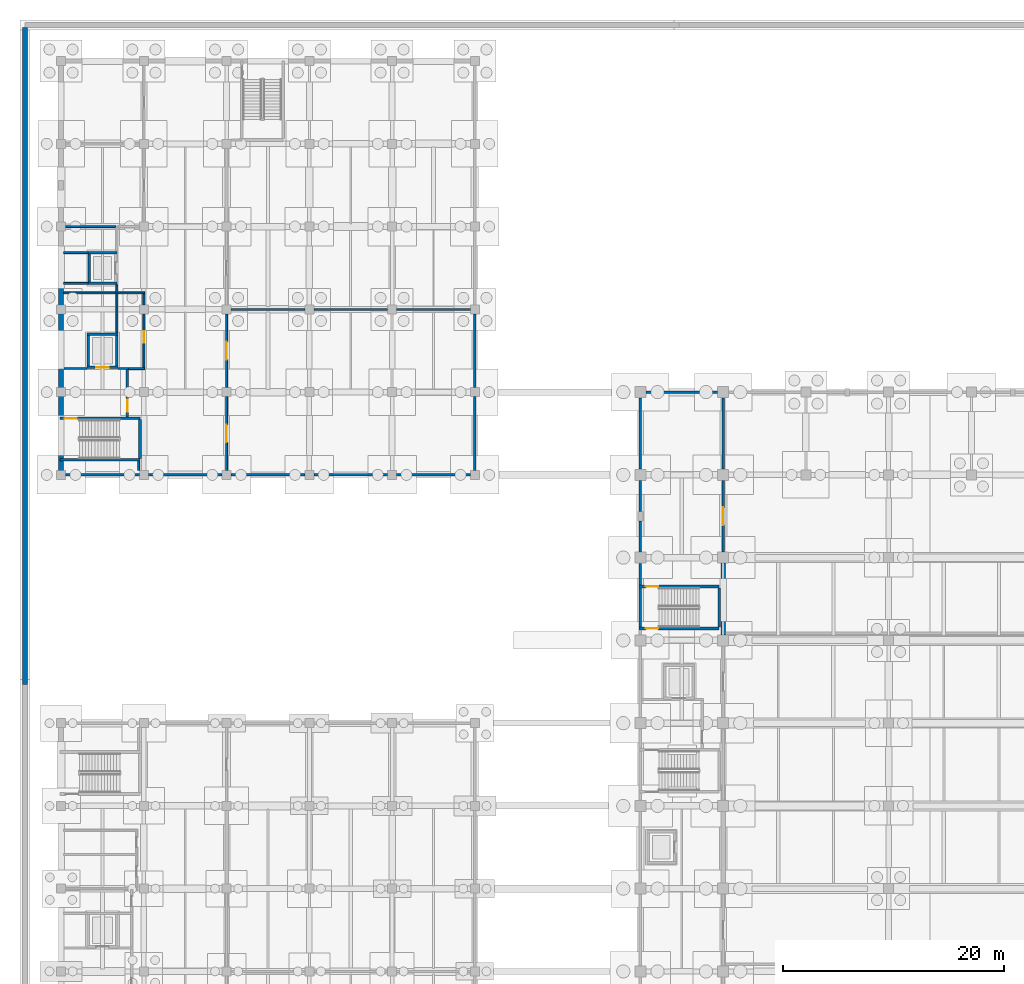
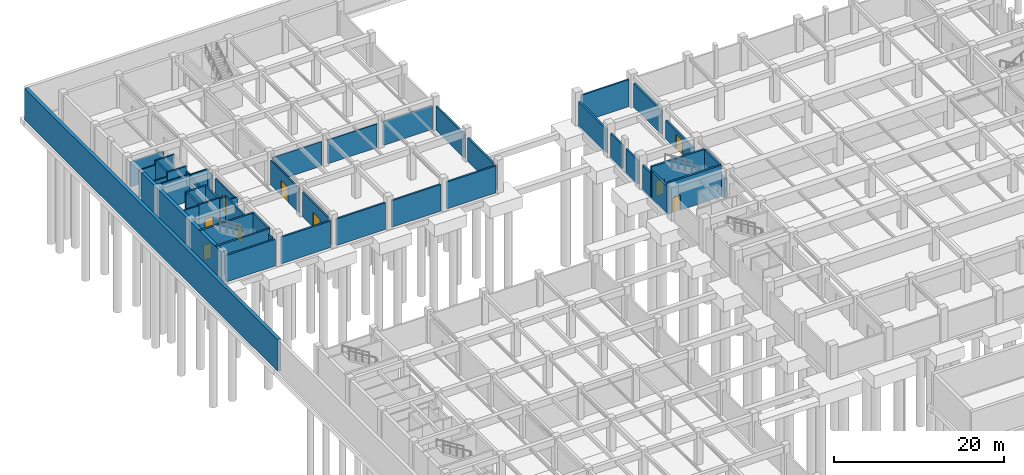
# One storey, part 25 of 38: 50 walls, 9 doors, 9 openings.
"""IFC4 building model written with IfcOpenShell, lengths in metres."""

from ifc_helpers import new_model, si_unit, direction, frame, frame_2d, origin, place, context, subcontext, project, spatial, rectangle, extrude, material, layer, layer_set, type_object, element, fill, save


model = new_model("IFC4")

# Units and contexts
model_context = context("Model", 3, precision=1e-05, world=origin(), true_north=direction((0.0, 1.0)))
body_context = subcontext(model_context, "Body", "Model", "MODEL_VIEW")
ifc_project = project(units=[si_unit("LENGTHUNIT", "METRE"), si_unit("AREAUNIT", "SQUARE_METRE"), si_unit("VOLUMEUNIT", "CUBIC_METRE"), si_unit("PLANEANGLEUNIT", "RADIAN"), si_unit("MASSUNIT", "GRAM", prefix="KILO")], contexts=[model_context])

# Site, building, storey
site_placement = place(None, origin())
site = spatial("IfcSite", under=ifc_project, at=site_placement, CompositionType="ELEMENT")
building_placement = place(site_placement, origin())
building = spatial("IfcBuilding", under=site, at=building_placement, Name="Qasida Concert Hall", CompositionType="ELEMENT")
storey_placement = place(building_placement, frame((0.0, 0.0, -4.800048828125)))
storey = spatial("IfcBuildingStorey", under=building, at=storey_placement, Name="B1", CompositionType="ELEMENT", Elevation=-4.800048828125)

# Walls
ifc_material_1 = material(Name="Concrete C40/50", Category="concrete")
ifc_layer_1 = layer(ifc_material_1, 0.219970703125, Name="Concrete C40/50")
ifc_layer_set_1 = layer_set([ifc_layer_1], Name="Concrete C40/50")
wall_type_1 = type_object("IfcWallType", Name="WL-CW-220", PredefinedType="SOLIDWALL", material=ifc_layer_set_1)
for number, where, z_axis, x_axis, name in (
    (1, (2.43994140625, 92.35009765625, 0.0), (0.0, 0.0, 1.0), (1.0, 0.0, 0.0), "B1 LF-07 lift shaft wall S"),
    (2, (2.43994140625, 95.14990234375, 0.0), (0.0, 0.0, 1.0), (1.0, 0.0, 0.0), "B1 LF-07 lift shaft wall N"),
):
    element("IfcWall", number, at=place(storey_placement, frame(where, z_axis=z_axis, x_axis=x_axis)), inside=storey, type_object=wall_type_1, Name=name, PredefinedType="SOLIDWALL", context=body_context, shape_type="SweptSolid", body=[
        extrude(rectangle(XDim=2.6201171875, YDim=0.219970703125, at=frame_2d((1.31005859375, 0.0))), origin(), (0.0, 0.0, 1.0), 4.5),
    ])
wall_1_placement = place(storey_placement, frame((2.550048828125, 92.4599609375, 0.0), z_axis=(0.0, 0.0, 1.0), x_axis=(0.0, 1.0, 0.0)))
element("IfcWall", 3, at=wall_1_placement, inside=storey, type_object=wall_type_1, Name="B1 LF-07 lift shaft wall W", PredefinedType="SOLIDWALL", context=body_context, shape_type="SweptSolid", body=[
    extrude(rectangle(XDim=2.580078125, YDim=0.219970703125, at=frame_2d((1.2900390625, 0.0))), origin(), (0.0, 0.0, 1.0), 4.5),
])

# Wall, opening, door
wall_2_placement = place(storey_placement, frame((2.340087890625, 84.75, 0.0), z_axis=(0.0, 0.0, 1.0), x_axis=(1.0, 0.0, 0.0)))
wall_2 = element("IfcWall", 4, at=wall_2_placement, inside=storey, type_object=wall_type_1, Name="B1 LF-08 lift shaft wall S", PredefinedType="SOLIDWALL", context=body_context, shape_type="SweptSolid", body=[
    extrude(rectangle(XDim=2.81982421875, YDim=0.219970703125, at=frame_2d((1.409912109375, 0.0))), origin(), (0.0, 0.0, 1.0), 4.5),
])
opening_1_placement = place(wall_2_placement, frame((0.860107421875, 0.0, 0.0)))
opening_1 = element("IfcOpeningElement", 5, at=opening_1_placement, cuts=wall_2, Name="Opening LD-110", PredefinedType="OPENING", context=body_context, shape_type="SweptSolid", body=[
    extrude(rectangle(XDim=1.10009765625, YDim=2.14990234375, at=frame_2d((0.550048828125, 1.074951171875))), frame((0.0, 0.119873046875, 0.0), z_axis=(0.0, -1.0, 0.0), x_axis=(1.0, 0.0, 0.0)), (0.0, 0.0, 1.0), 0.239990234375),
])
ifc_material_2 = material(Name="Firefighting lift sliding landing door", Category="steel")
door_type_1 = type_object("IfcDoorType", Name="LD-110", OperationType="SLIDING_TO_LEFT", PredefinedType="DOOR", material=ifc_material_2)
door_1_placement = place(opening_1_placement, origin())
door_1 = element("IfcDoor", 6, at=door_1_placement, inside=storey, type_object=door_type_1, Name="Lift landing door LF-08 B1", OperationType="SLIDING_TO_LEFT", OverallHeight=2.14990234375, OverallWidth=1.10009765625, PredefinedType="DOOR", context=body_context, shape_type="SweptSolid", body=[
    extrude(rectangle(XDim=1.10009765625, YDim=2.14990234375, at=frame_2d((0.550048828125, 1.074951171875))), frame((0.0, 0.02490234375, 0.0), z_axis=(0.0, -1.0, 0.0), x_axis=(1.0, 0.0, 0.0)), (0.0, 0.0, 1.0), 0.050048828125),
])
fill(opening_1, door_1)

# Walls
wall_3_placement = place(storey_placement, frame((2.340087890625, 87.75, 0.0), z_axis=(0.0, 0.0, 1.0), x_axis=(1.0, 0.0, 0.0)))
element("IfcWall", 7, at=wall_3_placement, inside=storey, type_object=wall_type_1, Name="B1 LF-08 lift shaft wall N", PredefinedType="SOLIDWALL", context=body_context, shape_type="SweptSolid", body=[
    extrude(rectangle(XDim=2.81982421875, YDim=0.219970703125, at=frame_2d((1.409912109375, 0.0))), origin(), (0.0, 0.0, 1.0), 4.5),
])
for number, where, z_axis, x_axis, name in (
    (8, (2.449951171875, 84.860107421875, 0.0), (0.0, 0.0, 1.0), (0.0, 1.0, 0.0), "B1 LF-08 lift shaft wall W"),
    (9, (5.050048828125, 84.860107421875, 0.0), (0.0, 0.0, 1.0), (0.0, 1.0, 0.0), "B1 LF-08 lift shaft wall E"),
):
    element("IfcWall", number, at=place(storey_placement, frame(where, z_axis=z_axis, x_axis=x_axis)), inside=storey, type_object=wall_type_1, Name=name, PredefinedType="SOLIDWALL", context=body_context, shape_type="SweptSolid", body=[
        extrude(rectangle(XDim=2.77978515625, YDim=0.219970703125, at=frame_2d((1.389892578125, 0.0))), origin(), (0.0, 0.0, 1.0), 4.5),
    ])

# Wall, opening, door
wall_4_placement = place(storey_placement, frame((6.0, 80.260009765625, 0.0), z_axis=(0.0, 0.0, 1.0), x_axis=(0.0, 1.0, 0.0)))
wall_4 = element("IfcWall", 10, at=wall_4_placement, inside=storey, type_object=wall_type_1, Name="B1 LF-08 firefighting lobby wall", PredefinedType="SOLIDWALL", context=body_context, shape_type="SweptSolid", body=[
    extrude(rectangle(XDim=4.369873046875, YDim=0.219970703125, at=frame_2d((2.18505859375, 0.0))), origin(), (0.0, 0.0, 1.0), 4.5),
])
opening_2_placement = place(wall_4_placement, frame((0.449951171875, 0.0, 0.0)))
opening_2 = element("IfcOpeningElement", 11, at=opening_2_placement, cuts=wall_4, Name="Opening FD-110", PredefinedType="OPENING", context=body_context, shape_type="SweptSolid", body=[
    extrude(rectangle(XDim=1.10009765625, YDim=2.14990234375, at=frame_2d((0.550048828125, 1.074951171875))), frame((0.0, 0.119873046875, 0.0), z_axis=(0.0, -1.0, 0.0), x_axis=(1.0, 0.0, 0.0)), (0.0, 0.0, 1.0), 0.239990234375),
])
ifc_material_3 = material(Name="Steel fire-rated stair/lobby door set", Category="steel")
door_type_2 = type_object("IfcDoorType", Name="FD-110", OperationType="NOTDEFINED", PredefinedType="DOOR", material=ifc_material_3)
door_2_placement = place(opening_2_placement, origin())
door_2 = element("IfcDoor", 12, at=door_2_placement, inside=storey, type_object=door_type_2, Name="B1 LF-08 firefighting lobby fire door", OperationType="SINGLE_SWING_RIGHT", OverallHeight=2.14990234375, OverallWidth=1.10009765625, PredefinedType="DOOR", context=body_context, shape_type="SweptSolid", body=[
    extrude(rectangle(XDim=1.10009765625, YDim=2.14990234375, at=frame_2d((0.550048828125, 1.074951171875))), frame((0.0, 0.02490234375, 0.0), z_axis=(0.0, -1.0, 0.0), x_axis=(1.0, 0.0, 0.0)), (0.0, 0.0, 1.0), 0.050048828125),
])
fill(opening_2, door_2)

# Wall
ifc_layer_2 = layer(ifc_material_1, 0.25, Name="Concrete C40/50")
ifc_layer_set_2 = layer_set([ifc_layer_2], Name="Concrete C40/50")
wall_type_2 = type_object("IfcWallType", Name="WL-CW-250", PredefinedType="SOLIDWALL", material=ifc_layer_set_2)
wall_5_placement = place(storey_placement, frame((-0.1201171875, 76.375, 0.0), z_axis=(0.0, 0.0, 1.0), x_axis=(1.0, 0.0, 0.0)))
element("IfcWall", 13, at=wall_5_placement, inside=storey, type_object=wall_type_2, Name="B1 ST-05 stairwell wall S", PredefinedType="SOLIDWALL", context=body_context, shape_type="SweptSolid", body=[
    extrude(rectangle(XDim=7.260009765625, YDim=0.25, at=frame_2d((3.6298828125, 0.0))), origin(), (0.0, 0.0, 1.0), 4.5),
])

# Wall, opening, door
wall_6_placement = place(storey_placement, frame((-0.1201171875, 80.125, 0.0), z_axis=(0.0, 0.0, 1.0), x_axis=(1.0, 0.0, 0.0)))
wall_6 = element("IfcWall", 14, at=wall_6_placement, inside=storey, type_object=wall_type_2, Name="B1 ST-05 stairwell wall N", PredefinedType="SOLIDWALL", context=body_context, shape_type="SweptSolid", body=[
    extrude(rectangle(XDim=7.260009765625, YDim=0.25, at=frame_2d((3.6298828125, 0.0))), origin(), (0.0, 0.0, 1.0), 4.5),
])
opening_3_placement = place(wall_6_placement, frame((0.449951171875, 0.0, 0.0)))
opening_3 = element("IfcOpeningElement", 15, at=opening_3_placement, cuts=wall_6, Name="Opening FD-110", PredefinedType="OPENING", context=body_context, shape_type="SweptSolid", body=[
    extrude(rectangle(XDim=1.10009765625, YDim=2.14990234375, at=frame_2d((0.550048828125, 1.074951171875))), frame((0.0, 0.135009765625, 0.0), z_axis=(0.0, -1.0, 0.0), x_axis=(1.0, 0.0, 0.0)), (0.0, 0.0, 1.0), 0.27001953125),
])
door_3_placement = place(opening_3_placement, origin())
door_3 = element("IfcDoor", 16, at=door_3_placement, inside=storey, type_object=door_type_2, Name="B1 ST-05 rated stair door", OperationType="SINGLE_SWING_LEFT", OverallHeight=2.14990234375, OverallWidth=1.10009765625, PredefinedType="DOOR", context=body_context, shape_type="SweptSolid", body=[
    extrude(rectangle(XDim=1.10009765625, YDim=2.14990234375, at=frame_2d((0.550048828125, 1.074951171875))), frame((0.0, 0.02490234375, 0.0), z_axis=(0.0, -1.0, 0.0), x_axis=(1.0, 0.0, 0.0)), (0.0, 0.0, 1.0), 0.050048828125),
])
fill(opening_3, door_3)

# Wall
wall_7_placement = place(storey_placement, frame((7.14501953125, 76.5, 0.0), z_axis=(0.0, 0.0, 1.0), x_axis=(0.0, 1.0, 0.0)))
element("IfcWall", 17, at=wall_7_placement, inside=storey, type_object=wall_type_2, Name="B1 ST-05 stairwell wall E", PredefinedType="SOLIDWALL", context=body_context, shape_type="SweptSolid", body=[
    extrude(rectangle(XDim=3.5, YDim=0.25, at=frame_2d((1.75, 0.0))), origin(), (0.0, 0.0, 1.0), 4.5),
])

# Wall, opening, door
wall_8_placement = place(storey_placement, frame((52.3798828125, 61.074951171875, 0.0), z_axis=(0.0, 0.0, 1.0), x_axis=(1.0, 0.0, 0.0)))
wall_8 = element("IfcWall", 18, at=wall_8_placement, inside=storey, type_object=wall_type_2, Name="B1 ST-11 stairwell wall S", PredefinedType="SOLIDWALL", context=body_context, shape_type="SweptSolid", body=[
    extrude(rectangle(XDim=7.260009765625, YDim=0.25, at=frame_2d((3.6298828125, 0.0))), origin(), (0.0, 0.0, 1.0), 4.5),
])
opening_4_placement = place(wall_8_placement, frame((0.6201171875, 0.0, 0.0)))
opening_4 = element("IfcOpeningElement", 19, at=opening_4_placement, cuts=wall_8, Name="Opening FD-110", PredefinedType="OPENING", context=body_context, shape_type="SweptSolid", body=[
    extrude(rectangle(XDim=1.10009765625, YDim=2.14990234375, at=frame_2d((0.550048828125, 1.074951171875))), frame((0.0, 0.135009765625, 0.0), z_axis=(0.0, -1.0, 0.0), x_axis=(1.0, 0.0, 0.0)), (0.0, 0.0, 1.0), 0.27001953125),
])
door_4_placement = place(opening_4_placement, origin())
door_4 = element("IfcDoor", 20, at=door_4_placement, inside=storey, type_object=door_type_2, Name="B1 ST-11 rated stair door", OperationType="SINGLE_SWING_LEFT", OverallHeight=2.14990234375, OverallWidth=1.10009765625, PredefinedType="DOOR", context=body_context, shape_type="SweptSolid", body=[
    extrude(rectangle(XDim=1.10009765625, YDim=2.14990234375, at=frame_2d((0.550048828125, 1.074951171875))), frame((0.0, 0.02490234375, 0.0), z_axis=(0.0, -1.0, 0.0), x_axis=(1.0, 0.0, 0.0)), (0.0, 0.0, 1.0), 0.050048828125),
])
fill(opening_4, door_4)

wall_9_placement = place(storey_placement, frame((52.3798828125, 64.885009765625, 0.0), z_axis=(0.0, 0.0, 1.0), x_axis=(1.0, 0.0, 0.0)))
wall_9 = element("IfcWall", 21, at=wall_9_placement, inside=storey, type_object=wall_type_2, Name="B1 ST-11 stairwell wall N", PredefinedType="SOLIDWALL", context=body_context, shape_type="SweptSolid", body=[
    extrude(rectangle(XDim=7.260009765625, YDim=0.25, at=frame_2d((3.6298828125, 0.0))), origin(), (0.0, 0.0, 1.0), 4.5),
])
opening_5_placement = place(wall_9_placement, frame((0.6201171875, 0.0, 0.0)))
opening_5 = element("IfcOpeningElement", 22, at=opening_5_placement, cuts=wall_9, Name="Opening FD-110", PredefinedType="OPENING", context=body_context, shape_type="SweptSolid", body=[
    extrude(rectangle(XDim=1.10009765625, YDim=2.14990234375, at=frame_2d((0.550048828125, 1.074951171875))), frame((0.0, 0.135009765625, 0.0), z_axis=(0.0, -1.0, 0.0), x_axis=(1.0, 0.0, 0.0)), (0.0, 0.0, 1.0), 0.27001953125),
])
door_5_placement = place(opening_5_placement, frame((1.10009765625, 0.0, 0.0), z_axis=(0.0, 0.0, 1.0), x_axis=(-1.0, 0.0, 0.0)))
door_5 = element("IfcDoor", 23, at=door_5_placement, inside=storey, type_object=door_type_2, Name="B1 ST-11 rated stair door", OperationType="SINGLE_SWING_RIGHT", OverallHeight=2.14990234375, OverallWidth=1.10009765625, PredefinedType="DOOR", context=body_context, shape_type="SweptSolid", body=[
    extrude(rectangle(XDim=1.10009765625, YDim=2.14990234375, at=frame_2d((0.550048828125, 1.074951171875))), frame((0.0, 0.02490234375, 0.0), z_axis=(0.0, -1.0, 0.0), x_axis=(1.0, 0.0, 0.0)), (0.0, 0.0, 1.0), 0.050048828125),
])
fill(opening_5, door_5)

# Walls
wall_10_placement = place(storey_placement, frame((59.64501953125, 61.199951171875, 0.0), z_axis=(0.0, 0.0, 1.0), x_axis=(0.0, 1.0, 0.0)))
element("IfcWall", 24, at=wall_10_placement, inside=storey, type_object=wall_type_2, Name="B1 ST-11 stairwell wall E", PredefinedType="SOLIDWALL", context=body_context, shape_type="SweptSolid", body=[
    extrude(rectangle(XDim=3.56005859375, YDim=0.25, at=frame_2d((1.780029296875, 0.0))), origin(), (0.0, 0.0, 1.0), 4.5),
])
ifc_material_4 = material(Name="Acoustic metal-stud gypsum partition", Category="gypsum")
ifc_layer_3 = layer(ifc_material_4, 0.179931640625, Name="Acoustic metal-stud gypsum partition")
ifc_layer_set_3 = layer_set([ifc_layer_3], Name="Acoustic metal-stud gypsum partition")
wall_type_3 = type_object("IfcWallType", Name="WL-PW-180", PredefinedType="PARTITIONING", material=ifc_layer_set_3)
wall_11_placement = place(storey_placement, frame((7.02001953125, 75.4140625, 0.0), z_axis=(0.0, 0.0, 1.0), x_axis=(0.0, 1.0, 0.0)))
element("IfcWall", 25, at=wall_11_placement, inside=storey, type_object=wall_type_3, Name="B1 partition PW-180 0226", PredefinedType="PARTITIONING", context=body_context, shape_type="SweptSolid", body=[
    extrude(rectangle(XDim=0.822021484375, YDim=0.179931640625, at=frame_2d((0.4111328125, 0.0))), origin(), (0.0, 0.0, 1.0), 3.820068359375),
])
wall_12_placement = place(storey_placement, frame((5.050048828125, 87.8740234375, 0.0), z_axis=(0.0, 0.0, 1.0), x_axis=(0.0, 1.0, 0.0)))
element("IfcWall", 26, at=wall_12_placement, inside=storey, type_object=wall_type_3, Name="B1 partition PW-180 0227", PredefinedType="PARTITIONING", context=body_context, shape_type="SweptSolid", body=[
    extrude(rectangle(XDim=3.6259765625, YDim=0.179931640625, at=frame_2d((1.81298828125, 0.0))), origin(), (0.0, 0.0, 1.0), 3.570068359375),
])
wall_13_placement = place(storey_placement, frame((6.1240234375, 84.6298828125, 0.0), z_axis=(0.0, 0.0, 1.0), x_axis=(1.0, 0.0, 0.0)))
element("IfcWall", 27, at=wall_13_placement, inside=storey, type_object=wall_type_3, Name="B1 partition PW-180 0228", PredefinedType="PARTITIONING", context=body_context, shape_type="SweptSolid", body=[
    extrude(rectangle(XDim=1.4560546875, YDim=0.179931640625, at=frame_2d((0.72802734375, 0.0))), origin(), (0.0, 0.0, 1.0), 3.8701171875),
])
wall_14_placement = place(storey_placement, frame((0.239013671875, 91.5, 0.0), z_axis=(0.0, 0.0, 1.0), x_axis=(1.0, 0.0, 0.0)))
element("IfcWall", 28, at=wall_14_placement, inside=storey, type_object=wall_type_3, Name="B1 partition PW-180 0229", PredefinedType="PARTITIONING", context=body_context, shape_type="SweptSolid", body=[
    extrude(rectangle(XDim=4.70703125, YDim=0.179931640625, at=frame_2d((2.353515625, 0.0))), origin(), (0.0, 0.0, 1.0), 3.8701171875),
])
wall_15_placement = place(storey_placement, frame((5.154052734375, 91.5, 0.0), z_axis=(0.0, 0.0, 1.0), x_axis=(1.0, 0.0, 0.0)))
element("IfcWall", 29, at=wall_15_placement, inside=storey, type_object=wall_type_3, Name="B1 partition PW-180 0230", PredefinedType="PARTITIONING", context=body_context, shape_type="SweptSolid", body=[
    extrude(rectangle(XDim=2.426025390625, YDim=0.179931640625, at=frame_2d((1.212890625, 0.0))), origin(), (0.0, 0.0, 1.0), 3.77001953125),
])

# Wall, opening, door
wall_16_placement = place(storey_placement, frame((7.5, 84.73388671875, 0.0), z_axis=(0.0, 0.0, 1.0), x_axis=(0.0, 1.0, 0.0)))
wall_16 = element("IfcWall", 30, at=wall_16_placement, inside=storey, type_object=wall_type_3, Name="B1 partition PW-180 0231", PredefinedType="PARTITIONING", context=body_context, shape_type="SweptSolid", body=[
    extrude(rectangle(XDim=4.85205078125, YDim=0.179931640625, at=frame_2d((2.426025390625, 0.0))), origin(), (0.0, 0.0, 1.0), 3.52001953125),
])
opening_6_placement = place(wall_16_placement, frame((2.240966796875, 0.0, 0.0)))
opening_6 = element("IfcOpeningElement", 31, at=opening_6_placement, cuts=wall_16, Name="Opening ID-105", PredefinedType="OPENING", context=body_context, shape_type="SweptSolid", body=[
    extrude(rectangle(XDim=1.050048828125, YDim=2.1201171875, at=frame_2d((0.52490234375, 1.06005859375))), frame((0.0, 0.099853515625, 0.0), z_axis=(0.0, -1.0, 0.0), x_axis=(1.0, 0.0, 0.0)), (0.0, 0.0, 1.0), 0.199951171875),
])
ifc_material_5 = material(Name="Quarter-sawn oak practice studio door", Category="wood")
door_type_3 = type_object("IfcDoorType", Name="ID-105", OperationType="NOTDEFINED", PredefinedType="DOOR", material=ifc_material_5)
door_6_placement = place(opening_6_placement, origin())
door_6 = element("IfcDoor", 32, at=door_6_placement, inside=storey, type_object=door_type_3, Name="B1 Soloist practice booth door", OperationType="SINGLE_SWING_RIGHT", OverallHeight=2.1201171875, OverallWidth=1.050048828125, PredefinedType="DOOR", context=body_context, shape_type="SweptSolid", body=[
    extrude(rectangle(XDim=1.050048828125, YDim=2.1201171875, at=frame_2d((0.52490234375, 1.06005859375))), frame((0.0, 0.02490234375, 0.0), z_axis=(0.0, -1.0, 0.0), x_axis=(1.0, 0.0, 0.0)), (0.0, 0.0, 1.0), 0.050048828125),
])
fill(opening_6, door_6)

# Walls
wall_17_placement = place(storey_placement, frame((7.5, 90.4140625, 0.0), z_axis=(0.0, 0.0, 1.0), x_axis=(0.0, 1.0, 0.0)))
element("IfcWall", 33, at=wall_17_placement, inside=storey, type_object=wall_type_3, Name="B1 partition PW-180 0232", PredefinedType="PARTITIONING", context=body_context, shape_type="SweptSolid", body=[
    extrude(rectangle(XDim=0.98193359375, YDim=0.179931640625, at=frame_2d((0.490966796875, 0.0))), origin(), (0.0, 0.0, 1.0), 3.52001953125),
])
for number, where, z_axis, x_axis, name in (
    (34, (0.239013671875, 92.35009765625, 0.0), (0.0, 0.0, 1.0), (1.0, 0.0, 0.0), "B1 partition PW-180 0233"),
    (35, (0.239013671875, 95.14990234375, 0.0), (0.0, 0.0, 1.0), (1.0, 0.0, 0.0), "B1 partition PW-180 0234"),
):
    element("IfcWall", number, at=place(storey_placement, frame(where, z_axis=z_axis, x_axis=x_axis)), inside=storey, type_object=wall_type_3, Name=name, PredefinedType="PARTITIONING", context=body_context, shape_type="SweptSolid", body=[
        extrude(rectangle(XDim=2.200927734375, YDim=0.179931640625, at=frame_2d((1.1005859375, 0.0))), origin(), (0.0, 0.0, 1.0), 3.8701171875),
    ])
wall_18_placement = place(storey_placement, frame((5.050048828125, 91.5, 0.0), z_axis=(0.0, 0.0, 1.0), x_axis=(0.0, 1.0, 0.0)))
element("IfcWall", 36, at=wall_18_placement, inside=storey, type_object=wall_type_3, Name="B1 partition PW-180 0235", PredefinedType="PARTITIONING", context=body_context, shape_type="SweptSolid", body=[
    extrude(rectangle(XDim=0.72607421875, YDim=0.179931640625, at=frame_2d((0.363037109375, 0.0))), origin(), (0.0, 0.0, 1.0), 3.8701171875),
])
wall_19_placement = place(storey_placement, frame((0.4140625, 97.5, 0.0), z_axis=(0.0, 0.0, 1.0), x_axis=(1.0, 0.0, 0.0)))
element("IfcWall", 37, at=wall_19_placement, inside=storey, type_object=wall_type_3, Name="B1 partition PW-180 0237", PredefinedType="PARTITIONING", context=body_context, shape_type="SweptSolid", body=[
    extrude(rectangle(XDim=4.531982421875, YDim=0.179931640625, at=frame_2d((2.26611328125, 0.0))), origin(), (0.0, 0.0, 1.0), 3.570068359375),
])

# Wall, opening, door
wall_20_placement = place(storey_placement, frame((15.0, 75.4140625, 0.0), z_axis=(0.0, 0.0, 1.0), x_axis=(0.0, 1.0, 0.0)))
wall_20 = element("IfcWall", 38, at=wall_20_placement, inside=storey, type_object=wall_type_3, Name="B1 partition PW-180 0246", PredefinedType="PARTITIONING", context=body_context, shape_type="SweptSolid", body=[
    extrude(rectangle(XDim=6.671875, YDim=0.179931640625, at=frame_2d((3.3359375, 0.0))), origin(), (0.0, 0.0, 1.0), 3.52001953125),
])
opening_7_placement = place(wall_20_placement, frame((2.535888671875, 0.0, 0.0)))
opening_7 = element("IfcOpeningElement", 39, at=opening_7_placement, cuts=wall_20, Name="Opening FD-160", PredefinedType="OPENING", context=body_context, shape_type="SweptSolid", body=[
    extrude(rectangle(XDim=1.60009765625, YDim=2.14990234375, at=frame_2d((0.800048828125, 1.074951171875))), frame((0.0, 0.099853515625, 0.0), z_axis=(0.0, -1.0, 0.0), x_axis=(1.0, 0.0, 0.0)), (0.0, 0.0, 1.0), 0.199951171875),
])
ifc_material_6 = material(Name="Double-leaf acoustic fire door", Category="steel")
door_type_4 = type_object("IfcDoorType", Name="FD-160", OperationType="NOTDEFINED", PredefinedType="DOOR", material=ifc_material_6)
door_7_placement = place(opening_7_placement, origin())
door_7 = element("IfcDoor", 40, at=door_7_placement, inside=storey, type_object=door_type_4, Name="B1 Metro ticket hall south door", OperationType="SINGLE_SWING_LEFT", OverallHeight=2.14990234375, OverallWidth=1.60009765625, PredefinedType="DOOR", context=body_context, shape_type="SweptSolid", body=[
    extrude(rectangle(XDim=1.60009765625, YDim=2.14990234375, at=frame_2d((0.800048828125, 1.074951171875))), frame((0.0, 0.02490234375, 0.0), z_axis=(0.0, -1.0, 0.0), x_axis=(1.0, 0.0, 0.0)), (0.0, 0.0, 1.0), 0.050048828125),
])
fill(opening_7, door_7)

wall_21_placement = place(storey_placement, frame((15.0, 82.9140625, 0.0), z_axis=(0.0, 0.0, 1.0), x_axis=(0.0, 1.0, 0.0)))
wall_21 = element("IfcWall", 41, at=wall_21_placement, inside=storey, type_object=wall_type_3, Name="B1 partition PW-180 0247", PredefinedType="PARTITIONING", context=body_context, shape_type="SweptSolid", body=[
    extrude(rectangle(XDim=6.671875, YDim=0.179931640625, at=frame_2d((3.3359375, 0.0))), origin(), (0.0, 0.0, 1.0), 3.52001953125),
])
opening_8_placement = place(wall_21_placement, frame((2.535888671875, 0.0, 0.0)))
opening_8 = element("IfcOpeningElement", 42, at=opening_8_placement, cuts=wall_21, Name="Opening FD-160", PredefinedType="OPENING", context=body_context, shape_type="SweptSolid", body=[
    extrude(rectangle(XDim=1.60009765625, YDim=2.14990234375, at=frame_2d((0.800048828125, 1.074951171875))), frame((0.0, 0.099853515625, 0.0), z_axis=(0.0, -1.0, 0.0), x_axis=(1.0, 0.0, 0.0)), (0.0, 0.0, 1.0), 0.199951171875),
])
door_8_placement = place(opening_8_placement, origin())
door_8 = element("IfcDoor", 43, at=door_8_placement, inside=storey, type_object=door_type_4, Name="B1 Metro ticket hall north door", OperationType="SINGLE_SWING_RIGHT", OverallHeight=2.14990234375, OverallWidth=1.60009765625, PredefinedType="DOOR", context=body_context, shape_type="SweptSolid", body=[
    extrude(rectangle(XDim=1.60009765625, YDim=2.14990234375, at=frame_2d((0.800048828125, 1.074951171875))), frame((0.0, 0.02490234375, 0.0), z_axis=(0.0, -1.0, 0.0), x_axis=(1.0, 0.0, 0.0)), (0.0, 0.0, 1.0), 0.050048828125),
])
fill(opening_8, door_8)

# Walls
ifc_material_7 = material(Name="Acoustic gypsum block and mineral wool", Category="gypsum")
ifc_layer_4 = layer(ifc_material_7, 0.199951171875, Name="Acoustic gypsum block and mineral wool")
ifc_layer_set_4 = layer_set([ifc_layer_4], Name="Acoustic gypsum block and mineral wool")
wall_type_4 = type_object("IfcWallType", Name="WL-PW-200", PredefinedType="PARTITIONING", material=ifc_layer_set_4)
wall_22_placement = place(storey_placement, frame((0.239990234375, 84.6298828125, 0.0), z_axis=(0.0, 0.0, 1.0), x_axis=(1.0, 0.0, 0.0)))
element("IfcWall", 44, at=wall_22_placement, inside=storey, type_object=wall_type_4, Name="B1 LF-08 firefighting lobby return wall", PredefinedType="PARTITIONING", context=body_context, shape_type="SweptSolid", body=[
    extrude(rectangle(XDim=2.0849609375, YDim=0.199951171875, at=frame_2d((1.04248046875, 0.0))), origin(), (0.0, 0.0, 1.0), 4.47998046875),
])
wall_23_placement = place(storey_placement, frame((5.175048828125, 84.6298828125, 0.0), z_axis=(0.0, 0.0, 1.0), x_axis=(1.0, 0.0, 0.0)))
element("IfcWall", 45, at=wall_23_placement, inside=storey, type_object=wall_type_4, Name="B1 LF-08 firefighting lobby return wall", PredefinedType="PARTITIONING", context=body_context, shape_type="SweptSolid", body=[
    extrude(rectangle(XDim=0.93505859375, YDim=0.199951171875, at=frame_2d((0.467529296875, 0.0))), origin(), (0.0, 0.0, 1.0), 4.47998046875),
])
wall_24_placement = place(storey_placement, frame((15.4140625, 90.0, 0.0), z_axis=(0.0, 0.0, 1.0), x_axis=(1.0, 0.0, 0.0)))
element("IfcWall", 46, at=wall_24_placement, inside=storey, type_object=wall_type_4, Name="B1 partition PW-200 0243", PredefinedType="PARTITIONING", context=body_context, shape_type="SweptSolid", body=[
    extrude(rectangle(XDim=6.671875, YDim=0.199951171875, at=frame_2d((3.3359375, 0.0))), origin(), (0.0, 0.0, 1.0), 3.52001953125),
])
for number, where, z_axis, x_axis, name in (
    (47, (22.9140625, 90.0, 0.0), (0.0, 0.0, 1.0), (1.0, 0.0, 0.0), "B1 partition PW-200 0244"),
    (48, (30.4140625, 90.0, 0.0), (0.0, 0.0, 1.0), (1.0, 0.0, 0.0), "B1 partition PW-200 0245"),
):
    element("IfcWall", number, at=place(storey_placement, frame(where, z_axis=z_axis, x_axis=x_axis)), inside=storey, type_object=wall_type_4, Name=name, PredefinedType="PARTITIONING", context=body_context, shape_type="SweptSolid", body=[
        extrude(rectangle(XDim=6.671875, YDim=0.199951171875, at=frame_2d((3.3359375, 0.0))), origin(), (0.0, 0.0, 1.0), 3.420166015625),
    ])
ifc_material_8 = material(Name="Double-stud acoustic gypsum and mineral wool", Category="gypsum")
ifc_layer_5 = layer(ifc_material_8, 0.239990234375, Name="Double-stud acoustic gypsum and mineral wool")
ifc_layer_set_5 = layer_set([ifc_layer_5], Name="Double-stud acoustic gypsum and mineral wool")
wall_type_5 = type_object("IfcWallType", Name="WL-PW-240", PredefinedType="PARTITIONING", material=ifc_layer_set_5)
for number, where, z_axis, x_axis, name in (
    (49, (0.4140625, 75.0, 0.0), (0.0, 0.0, 1.0), (1.0, 0.0, 0.0), "B1 partition PW-240 0013"),
    (50, (7.9140625, 75.0, 0.0), (0.0, 0.0, 1.0), (1.0, 0.0, 0.0), "B1 partition PW-240 0014"),
    (51, (15.4140625, 75.0, 0.0), (0.0, 0.0, 1.0), (1.0, 0.0, 0.0), "B1 partition PW-240 0015"),
    (52, (22.9140625, 75.0, 0.0), (0.0, 0.0, 1.0), (1.0, 0.0, 0.0), "B1 partition PW-240 0016"),
):
    element("IfcWall", number, at=place(storey_placement, frame(where, z_axis=z_axis, x_axis=x_axis)), inside=storey, type_object=wall_type_5, Name=name, PredefinedType="PARTITIONING", context=body_context, shape_type="SweptSolid", body=[
        extrude(rectangle(XDim=6.671875, YDim=0.239990234375, at=frame_2d((3.3359375, 0.0))), origin(), (0.0, 0.0, 1.0), 3.820068359375),
    ])
wall_25_placement = place(storey_placement, frame((30.4140625, 75.0, 0.0), z_axis=(0.0, 0.0, 1.0), x_axis=(1.0, 0.0, 0.0)))
element("IfcWall", 53, at=wall_25_placement, inside=storey, type_object=wall_type_5, Name="B1 partition PW-240 0017", PredefinedType="PARTITIONING", context=body_context, shape_type="SweptSolid", body=[
    extrude(rectangle(XDim=6.671875, YDim=0.239990234375, at=frame_2d((3.3359375, 0.0))), origin(), (0.0, 0.0, 1.0), 3.8701171875),
])
for number, where, z_axis, x_axis, name in (
    (54, (37.5, 75.4140625, 0.0), (0.0, 0.0, 1.0), (0.0, 1.0, 0.0), "B1 partition PW-240 0018"),
    (55, (37.5, 82.9140625, 0.0), (0.0, 0.0, 1.0), (0.0, 1.0, 0.0), "B1 partition PW-240 0019"),
):
    element("IfcWall", number, at=place(storey_placement, frame(where, z_axis=z_axis, x_axis=x_axis)), inside=storey, type_object=wall_type_5, Name=name, PredefinedType="PARTITIONING", context=body_context, shape_type="SweptSolid", body=[
        extrude(rectangle(XDim=6.671875, YDim=0.239990234375, at=frame_2d((3.3359375, 0.0))), origin(), (0.0, 0.0, 1.0), 3.420166015625),
    ])
wall_26_placement = place(storey_placement, frame((53.013916015625, 82.5, 0.0), z_axis=(0.0, 0.0, 1.0), x_axis=(1.0, 0.0, 0.0)))
element("IfcWall", 56, at=wall_26_placement, inside=storey, type_object=wall_type_5, Name="B1 partition PW-240 0030", PredefinedType="PARTITIONING", context=body_context, shape_type="SweptSolid", body=[
    extrude(rectangle(XDim=6.47216796875, YDim=0.239990234375, at=frame_2d((3.236083984375, 0.0))), origin(), (0.0, 0.0, 1.0), 3.8701171875),
])
wall_27_placement = place(storey_placement, frame((52.5, 61.214111328125, 0.0), z_axis=(0.0, 0.0, 1.0), x_axis=(0.0, 1.0, 0.0)))
element("IfcWall", 57, at=wall_27_placement, inside=storey, type_object=wall_type_5, Name="B1 partition PW-240 0047", PredefinedType="PARTITIONING", context=body_context, shape_type="SweptSolid", body=[
    extrude(rectangle(XDim=3.531982421875, YDim=0.239990234375, at=frame_2d((1.76611328125, 0.0))), origin(), (0.0, 0.0, 1.0), 3.8701171875),
])
wall_28_placement = place(storey_placement, frame((52.5, 65.02392578125, 0.0), z_axis=(0.0, 0.0, 1.0), x_axis=(0.0, 1.0, 0.0)))
element("IfcWall", 58, at=wall_28_placement, inside=storey, type_object=wall_type_5, Name="B1 partition PW-240 0048", PredefinedType="PARTITIONING", context=body_context, shape_type="SweptSolid", body=[
    extrude(rectangle(XDim=1.962158203125, YDim=0.239990234375, at=frame_2d((0.98095703125, 0.0))), origin(), (0.0, 0.0, 1.0), 3.420166015625),
])
for number, where, z_axis, x_axis, name in (
    (59, (52.5, 68.013916015625, 0.0), (0.0, 0.0, 1.0), (0.0, 1.0, 0.0), "B1 partition PW-240 0049"),
    (60, (52.5, 71.68896484375, 0.0), (0.0, 0.0, 1.0), (0.0, 1.0, 0.0), "B1 partition PW-240 0050"),
):
    element("IfcWall", number, at=place(storey_placement, frame(where, z_axis=z_axis, x_axis=x_axis)), inside=storey, type_object=wall_type_5, Name=name, PredefinedType="PARTITIONING", context=body_context, shape_type="SweptSolid", body=[
        extrude(rectangle(XDim=2.797119140625, YDim=0.239990234375, at=frame_2d((1.3984375, 0.0))), origin(), (0.0, 0.0, 1.0), 3.420166015625),
    ])
wall_29_placement = place(storey_placement, frame((52.5, 75.513916015625, 0.0), z_axis=(0.0, 0.0, 1.0), x_axis=(0.0, 1.0, 0.0)))
element("IfcWall", 61, at=wall_29_placement, inside=storey, type_object=wall_type_5, Name="B1 partition PW-240 0051", PredefinedType="PARTITIONING", context=body_context, shape_type="SweptSolid", body=[
    extrude(rectangle(XDim=6.47216796875, YDim=0.239990234375, at=frame_2d((3.236083984375, 0.0))), origin(), (0.0, 0.0, 1.0), 3.420166015625),
])

# Wall, opening, door
wall_30_placement = place(storey_placement, frame((60.0, 68.013916015625, 0.0), z_axis=(0.0, 0.0, 1.0), x_axis=(0.0, 1.0, 0.0)))
wall_30 = element("IfcWall", 62, at=wall_30_placement, inside=storey, type_object=wall_type_5, Name="B1 partition PW-240 0401", PredefinedType="PARTITIONING", context=body_context, shape_type="SweptSolid", body=[
    extrude(rectangle(XDim=6.47216796875, YDim=0.239990234375, at=frame_2d((3.236083984375, 0.0))), origin(), (0.0, 0.0, 1.0), 2.670166015625),
])
opening_9_placement = place(wall_30_placement, frame((2.43603515625, 0.0, 0.0)))
opening_9 = element("IfcOpeningElement", 63, at=opening_9_placement, cuts=wall_30, Name="Opening FD-160", PredefinedType="OPENING", context=body_context, shape_type="SweptSolid", body=[
    extrude(rectangle(XDim=1.60009765625, YDim=2.14990234375, at=frame_2d((0.800048828125, 1.074951171875))), frame((0.0, 0.1298828125, 0.0), z_axis=(0.0, -1.0, 0.0), x_axis=(1.0, 0.0, 0.0)), (0.0, 0.0, 1.0), 0.260009765625),
])
door_9_placement = place(opening_9_placement, origin())
door_9 = element("IfcDoor", 64, at=door_9_placement, inside=storey, type_object=door_type_4, Name="B1 Pit machinery hall west fire door", OperationType="SINGLE_SWING_LEFT", OverallHeight=2.14990234375, OverallWidth=1.60009765625, PredefinedType="DOOR", context=body_context, shape_type="SweptSolid", body=[
    extrude(rectangle(XDim=1.60009765625, YDim=2.14990234375, at=frame_2d((0.800048828125, 1.074951171875))), frame((0.0, 0.02490234375, 0.0), z_axis=(0.0, -1.0, 0.0), x_axis=(1.0, 0.0, 0.0)), (0.0, 0.0, 1.0), 0.050048828125),
])
fill(opening_9, door_9)

# Walls
wall_31_placement = place(storey_placement, frame((60.0, 75.513916015625, 0.0), z_axis=(0.0, 0.0, 1.0), x_axis=(0.0, 1.0, 0.0)))
element("IfcWall", 65, at=wall_31_placement, inside=storey, type_object=wall_type_5, Name="B1 partition PW-240 0402", PredefinedType="PARTITIONING", context=body_context, shape_type="SweptSolid", body=[
    extrude(rectangle(XDim=6.47216796875, YDim=0.239990234375, at=frame_2d((3.236083984375, 0.0))), origin(), (0.0, 0.0, 1.0), 3.420166015625),
])
ifc_layer_6 = layer(ifc_material_1, 0.449951171875, Name="Concrete C40/50")
ifc_layer_set_6 = layer_set([ifc_layer_6], Name="Concrete C40/50")
wall_type_6 = type_object("IfcWallType", Name="WL-RW-450", PredefinedType="USERDEFINED", material=ifc_layer_set_6)
wall_32_placement = place(storey_placement, frame((0.0, 75.0, 0.0), z_axis=(0.0, 0.0, 1.0), x_axis=(0.0, 1.0, 0.0)))
element("IfcWall", 66, at=wall_32_placement, inside=storey, type_object=wall_type_6, Name="B1 retaining wall RW-450 003", ObjectType="RETAININGWALL", PredefinedType="USERDEFINED", context=body_context, shape_type="SweptSolid", body=[
    extrude(rectangle(XDim=18.75, YDim=0.449951171875, at=frame_2d((9.375, 0.0))), origin(), (0.0, 0.0, 1.0), 4.5),
])
wall_33_placement = place(storey_placement, frame((-3.27490234375, 56.0, 0.0), z_axis=(0.0, 0.0, 1.0), x_axis=(0.0, 1.0, 0.0)))
element("IfcWall", 67, at=wall_33_placement, inside=storey, type_object=wall_type_6, Name="B1 civic plaza plinth retaining wall PLW-W2", ObjectType="RETAININGWALL", PredefinedType="USERDEFINED", context=body_context, shape_type="SweptSolid", body=[
    extrude(rectangle(XDim=59.550048828125, YDim=0.449951171875, at=frame_2d((29.77490234375, 0.0))), origin(), (0.0, 0.0, 1.0), 4.550048828125),
])
ifc_layer_7 = layer(ifc_material_1, 0.39990234375, Name="Concrete C40/50")
ifc_layer_set_7 = layer_set([ifc_layer_7], Name="Concrete C40/50")
wall_type_7 = type_object("IfcWallType", Name="WL-SW-400", PredefinedType="SHEAR", material=ifc_layer_set_7)
wall_34_placement = place(storey_placement, frame((60.0, 60.5, 0.0), z_axis=(0.0, 0.0, 1.0), x_axis=(0.0, 1.0, 0.0)))
element("IfcWall", 68, at=wall_34_placement, inside=storey, type_object=wall_type_7, Name="B1 acoustic box shear wall 0002", PredefinedType="SHEAR", context=body_context, shape_type="SweptSolid", body=[
    extrude(rectangle(XDim=6.5, YDim=0.39990234375, at=frame_2d((3.25, 0.0))), origin(), (0.0, 0.0, 1.0), 2.699951171875),
])

save(model, "model.ifc")
